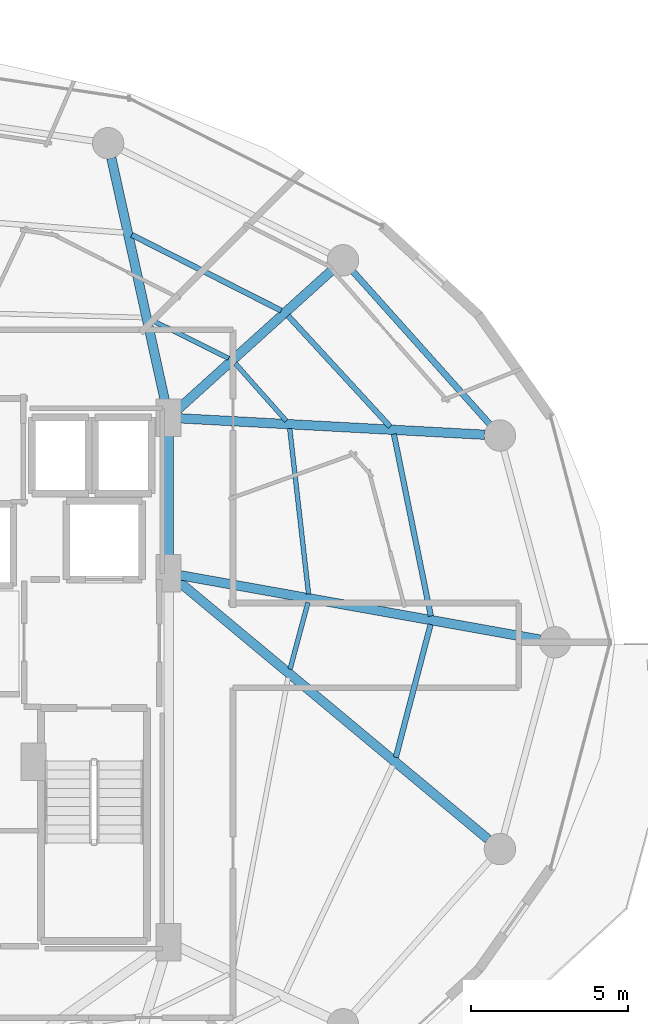
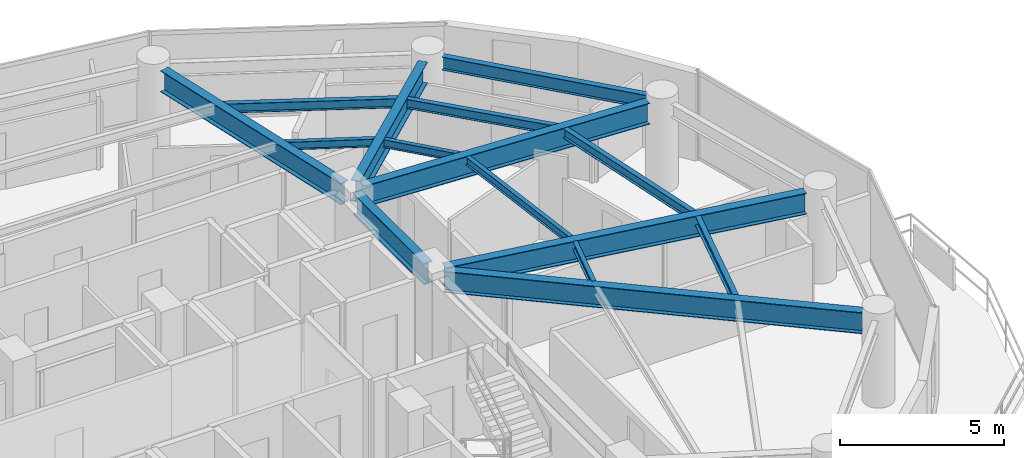
# One storey, part 15 of 31: 15 beams.
"""IFC4 building model written with IfcOpenShell, lengths in metres."""

from ifc_helpers import new_model, si_unit, direction, frame, origin, origin_2d, place, context, subcontext, project, spatial, i_section, extrude, material, material_profile, profile_set, type_object, element, save


model = new_model("IFC4")

# Units and contexts
model_context = context("Model", 3, precision=1e-05, world=origin(), true_north=direction((0.0, 1.0)))
body_context = subcontext(model_context, "Body", "Model", "MODEL_VIEW")
ifc_project = project(units=[si_unit("LENGTHUNIT", "METRE"), si_unit("AREAUNIT", "SQUARE_METRE"), si_unit("VOLUMEUNIT", "CUBIC_METRE"), si_unit("PLANEANGLEUNIT", "RADIAN"), si_unit("MASSUNIT", "GRAM", prefix="KILO")], contexts=[model_context])

# Site, building, storey
site_placement = place(None, origin())
site = spatial("IfcSite", under=ifc_project, at=site_placement, CompositionType="ELEMENT")
building_placement = place(site_placement, origin())
building = spatial("IfcBuilding", under=site, at=building_placement, Name="Vorneva Point Tower", CompositionType="ELEMENT")
storey_placement = place(building_placement, frame((0.0, 0.0, 136.10009765625)))
storey = spatial("IfcBuildingStorey", under=building, at=storey_placement, Name="L36", CompositionType="ELEMENT", Elevation=136.10009765625)

# Beams
ifc_material = material(Name="Steel S355", Category="steel")
ifc_material_profile_1 = material_profile(ifc_material, i_section(OverallWidth=0.300048828125, OverallDepth=0.7880859375, WebThickness=0.014404296875, FlangeThickness=0.02197265625, at=origin_2d()), Name="80Sh1")
ifc_profile_set_1 = profile_set([ifc_material_profile_1], Name="Steel S355")
beam_type_1 = type_object("IfcBeamType", Name="BM-GRD-80Sh1", PredefinedType="USERDEFINED", material=ifc_profile_set_1)
beam_1_placement = place(storey_placement, frame((60.569580078125, 26.0859375, 2.845947265625), z_axis=(-0.984378132756, 0.176067293249, 0.0), x_axis=(-0.176067293249, -0.984378132756, 0.0)))
element("IfcBeam", 1, at=beam_1_placement, inside=storey, type_object=beam_type_1, Name="L36 Radial Primary Girder 01", ObjectType="GIRDER", PredefinedType="USERDEFINED", context=body_context, shape_type="SweptSolid", body=[
    extrude(i_section(OverallWidth=0.300048828125, OverallDepth=0.7880859375, WebThickness=0.014404296875, FlangeThickness=0.02197265625, at=origin_2d()), origin(), (0.0, 0.0, 1.0), 11.667236328125),
])
beam_2_placement = place(storey_placement, frame((58.80810546875, 32.6083984375, 2.845947265625), z_axis=(-0.998554051908, 0.053756910424, 0.0), x_axis=(-0.053756910424, -0.998554051908, 0.0)))
element("IfcBeam", 2, at=beam_2_placement, inside=storey, type_object=beam_type_1, Name="L36 Radial Primary Girder 02", ObjectType="GIRDER", PredefinedType="USERDEFINED", context=body_context, shape_type="SweptSolid", body=[
    extrude(i_section(OverallWidth=0.300048828125, OverallDepth=0.7880859375, WebThickness=0.014404296875, FlangeThickness=0.02197265625, at=origin_2d()), origin(), (0.0, 0.0, 1.0), 9.732666015625),
])
beam_3_placement = place(storey_placement, frame((53.936767578125, 37.835205078125, 2.845947265625), z_axis=(-0.742084379637, -0.670306477292, 0.0), x_axis=(0.670306477292, -0.742084379637, 0.0)))
element("IfcBeam", 3, at=beam_3_placement, inside=storey, type_object=beam_type_1, Name="L36 Radial Primary Girder 03", ObjectType="GIRDER", PredefinedType="USERDEFINED", context=body_context, shape_type="SweptSolid", body=[
    extrude(i_section(OverallWidth=0.300048828125, OverallDepth=0.7880859375, WebThickness=0.014404296875, FlangeThickness=0.02197265625, at=origin_2d()), origin(), (0.0, 0.0, 1.0), 6.649658203125),
])
beam_4_placement = place(storey_placement, frame((46.926025390625, 41.414306640625, 2.845947265625), z_axis=(0.215520500859, -0.976499315775, 0.0), x_axis=(0.976499315775, 0.215520500859, 0.0)))
element("IfcBeam", 4, at=beam_4_placement, inside=storey, type_object=beam_type_1, Name="L36 Radial Primary Girder 04", ObjectType="GIRDER", PredefinedType="USERDEFINED", context=body_context, shape_type="SweptSolid", body=[
    extrude(i_section(OverallWidth=0.300048828125, OverallDepth=0.7880859375, WebThickness=0.014404296875, FlangeThickness=0.02197265625, at=origin_2d()), origin(), (0.0, 0.0, 1.0), 8.123291015625),
])
beam_5_placement = place(storey_placement, frame((58.92041015625, 19.72998046875, 2.845947265625), z_axis=(-0.76841987547, 0.639946009428, 0.0), x_axis=(-0.639946009428, -0.76841987547, 0.0)))
element("IfcBeam", 5, at=beam_5_placement, inside=storey, type_object=beam_type_1, Name="L36 Radial Primary Girder 16", ObjectType="GIRDER", PredefinedType="USERDEFINED", context=body_context, shape_type="SweptSolid", body=[
    extrude(i_section(OverallWidth=0.300048828125, OverallDepth=0.7880859375, WebThickness=0.014404296875, FlangeThickness=0.02197265625, at=origin_2d()), origin(), (0.0, 0.0, 1.0), 12.8955078125),
])
beam_6_placement = place(storey_placement, frame((48.75, 28.52001953125, 2.845947265625), z_axis=(0.0, 1.0, 0.0), x_axis=(-1.0, 0.0, 0.0)))
element("IfcBeam", 6, at=beam_6_placement, inside=storey, type_object=beam_type_1, Name="L36 Core Tie Girder CT4", ObjectType="GIRDER", PredefinedType="USERDEFINED", context=body_context, shape_type="SweptSolid", body=[
    extrude(i_section(OverallWidth=0.300048828125, OverallDepth=0.7880859375, WebThickness=0.014404296875, FlangeThickness=0.02197265625, at=origin_2d()), origin(), (0.0, 0.0, 1.0), 4.31005859375),
])
ifc_material_profile_2 = material_profile(ifc_material, i_section(OverallWidth=0.14892578125, OverallDepth=0.298095703125, WebThickness=0.005615234375, FlangeThickness=0.008056640625, at=origin_2d()), Name="30B1")
ifc_profile_set_2 = profile_set([ifc_material_profile_2], Name="Steel S355")
beam_type_2 = type_object("IfcBeamType", Name="BM-JST-30B1", PredefinedType="JOIST", material=ifc_profile_set_2)
beam_7_placement = place(storey_placement, frame((53.20361328125, 27.53759765625, 3.0908203125), z_axis=(-0.113124562524, 0.993580813701, 0.0), x_axis=(-0.993580813701, -0.113124562524, 0.0)))
element("IfcBeam", 7, at=beam_7_placement, inside=storey, type_object=beam_type_2, Name="L36 Secondary Floor Beam 2.01", PredefinedType="JOIST", context=body_context, shape_type="SweptSolid", body=[
    extrude(i_section(OverallWidth=0.14892578125, OverallDepth=0.298095703125, WebThickness=0.005615234375, FlangeThickness=0.008056640625, at=origin_2d()), origin(), (0.0, 0.0, 1.0), 5.302490234375),
])
beam_8_placement = place(storey_placement, frame((52.49658203125, 33.04638671875, 3.0908203125), z_axis=(-0.66365236786, 0.748041131646, 0.0), x_axis=(-0.748041131646, -0.66365236786, 0.0)))
element("IfcBeam", 8, at=beam_8_placement, inside=storey, type_object=beam_type_2, Name="L36 Secondary Floor Beam 2.02", PredefinedType="JOIST", context=body_context, shape_type="SweptSolid", body=[
    extrude(i_section(OverallWidth=0.14892578125, OverallDepth=0.298095703125, WebThickness=0.005615234375, FlangeThickness=0.008056640625, at=origin_2d()), origin(), (0.0, 0.0, 1.0), 2.450439453125),
])
beam_9_placement = place(storey_placement, frame((50.655029296875, 35.043701171875, 3.0908203125), z_axis=(-0.895831018968, 0.444394853092, 0.0), x_axis=(-0.444394853092, -0.895831018968, 0.0)))
element("IfcBeam", 9, at=beam_9_placement, inside=storey, type_object=beam_type_2, Name="L36 Secondary Floor Beam 2.03", PredefinedType="JOIST", context=body_context, shape_type="SweptSolid", body=[
    extrude(i_section(OverallWidth=0.14892578125, OverallDepth=0.298095703125, WebThickness=0.005615234375, FlangeThickness=0.008056640625, at=origin_2d()), origin(), (0.0, 0.0, 1.0), 2.77392578125),
])
beam_10_placement = place(storey_placement, frame((52.6142578125, 25.14501953125, 3.0908203125), z_axis=(0.259100758483, 0.965850297382, 0.0), x_axis=(-0.965850297382, 0.259100758483, 0.0)))
element("IfcBeam", 10, at=beam_10_placement, inside=storey, type_object=beam_type_2, Name="L36 Secondary Floor Beam 2.16", PredefinedType="JOIST", context=body_context, shape_type="SweptSolid", body=[
    extrude(i_section(OverallWidth=0.14892578125, OverallDepth=0.298095703125, WebThickness=0.005615234375, FlangeThickness=0.008056640625, at=origin_2d()), origin(), (0.0, 0.0, 1.0), 2.197265625),
])
ifc_material_profile_3 = material_profile(ifc_material, i_section(OverallWidth=0.174072265625, OverallDepth=0.345947265625, WebThickness=0.006103515625, FlangeThickness=0.009033203125, at=origin_2d()), Name="35B1")
ifc_profile_set_3 = profile_set([ifc_material_profile_3], Name="Steel S355")
beam_type_3 = type_object("IfcBeamType", Name="BM-SEC-35B1", PredefinedType="BEAM", material=ifc_profile_set_3)
beam_11_placement = place(storey_placement, frame((57.0966796875, 26.83740234375, 3.06689453125), z_axis=(-0.199077897851, 0.979983668531, 0.0), x_axis=(-0.979983668531, -0.199077897851, 0.0)))
element("IfcBeam", 11, at=beam_11_placement, inside=storey, type_object=beam_type_3, Name="L36 Secondary Floor Beam 1.01", PredefinedType="BEAM", context=body_context, shape_type="SweptSolid", body=[
    extrude(i_section(OverallWidth=0.174072265625, OverallDepth=0.345947265625, WebThickness=0.006103515625, FlangeThickness=0.009033203125, at=origin_2d()), origin(), (0.0, 0.0, 1.0), 5.9111328125),
])
beam_12_placement = place(storey_placement, frame((55.799072265625, 32.866943359375, 3.06689453125), z_axis=(-0.677292423638, 0.735713920545, 0.0), x_axis=(-0.735713920545, -0.677292423638, 0.0)))
element("IfcBeam", 12, at=beam_12_placement, inside=storey, type_object=beam_type_3, Name="L36 Secondary Floor Beam 1.02", PredefinedType="BEAM", context=body_context, shape_type="SweptSolid", body=[
    extrude(i_section(OverallWidth=0.174072265625, OverallDepth=0.345947265625, WebThickness=0.006103515625, FlangeThickness=0.009033203125, at=origin_2d()), origin(), (0.0, 0.0, 1.0), 4.79736328125),
])
beam_13_placement = place(storey_placement, frame((52.333251953125, 36.560302734375, 3.06689453125), z_axis=(-0.891979436535, 0.452075972375, 0.0), x_axis=(-0.452075972375, -0.891979436535, 0.0)))
element("IfcBeam", 13, at=beam_13_placement, inside=storey, type_object=beam_type_3, Name="L36 Secondary Floor Beam 1.03", PredefinedType="BEAM", context=body_context, shape_type="SweptSolid", body=[
    extrude(i_section(OverallWidth=0.174072265625, OverallDepth=0.345947265625, WebThickness=0.006103515625, FlangeThickness=0.009033203125, at=origin_2d()), origin(), (0.0, 0.0, 1.0), 5.335205078125),
])
beam_14_placement = place(storey_placement, frame((55.982666015625, 22.33935546875, 3.06689453125), z_axis=(0.253099315656, 0.967440301215, 0.0), x_axis=(-0.967440301215, 0.253099315656, 0.0)))
element("IfcBeam", 14, at=beam_14_placement, inside=storey, type_object=beam_type_3, Name="L36 Secondary Floor Beam 1.16", PredefinedType="BEAM", context=body_context, shape_type="SweptSolid", body=[
    extrude(i_section(OverallWidth=0.174072265625, OverallDepth=0.345947265625, WebThickness=0.006103515625, FlangeThickness=0.009033203125, at=origin_2d()), origin(), (0.0, 0.0, 1.0), 4.37158203125),
])
ifc_material_profile_4 = material_profile(ifc_material, i_section(OverallWidth=0.199951171875, OverallDepth=0.491943359375, WebThickness=0.0087890625, FlangeThickness=0.011962890625, at=origin_2d()), Name="50B1")
ifc_profile_set_4 = profile_set([ifc_material_profile_4], Name="Steel S355")
beam_type_4 = type_object("IfcBeamType", Name="BM-SPN-50B1", PredefinedType="SPANDREL", material=ifc_profile_set_4)
beam_15_placement = place(storey_placement, frame((58.971923828125, 32.943603515625, 2.993896484375), z_axis=(-0.667111118975, 0.74495822362, 0.0), x_axis=(-0.74495822362, -0.667111118975, 0.0)))
element("IfcBeam", 15, at=beam_15_placement, inside=storey, type_object=beam_type_4, Name="L36 Perimeter Spandrel Ring Beam 02", PredefinedType="SPANDREL", context=body_context, shape_type="SweptSolid", body=[
    extrude(i_section(OverallWidth=0.199951171875, OverallDepth=0.491943359375, WebThickness=0.0087890625, FlangeThickness=0.011962890625, at=origin_2d()), origin(), (0.0, 0.0, 1.0), 6.52001953125),
])

save(model, "model.ifc")
